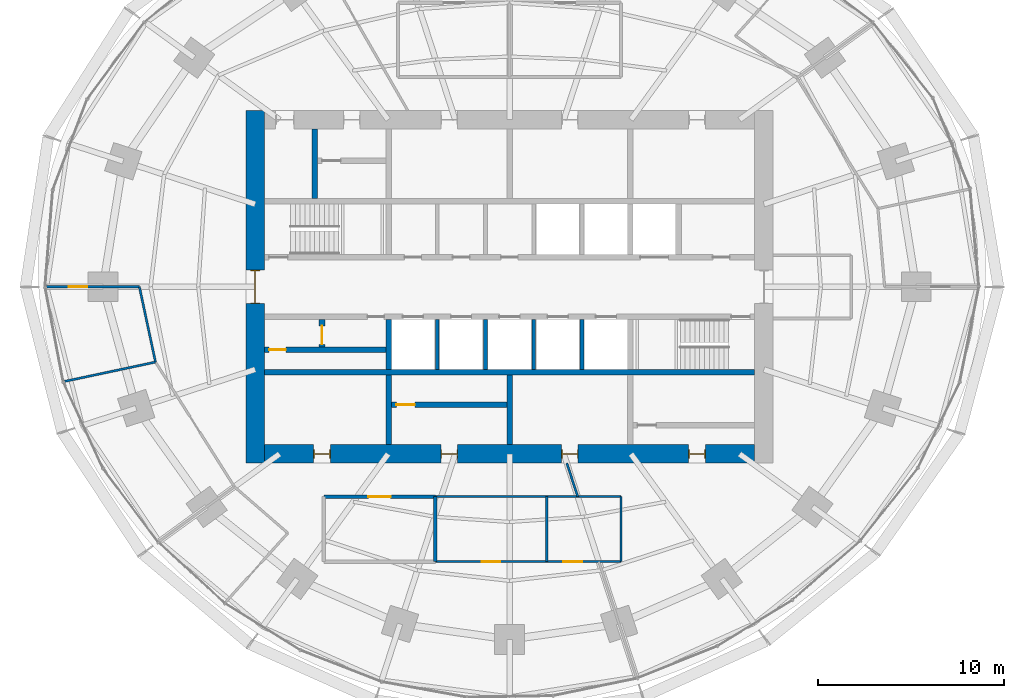
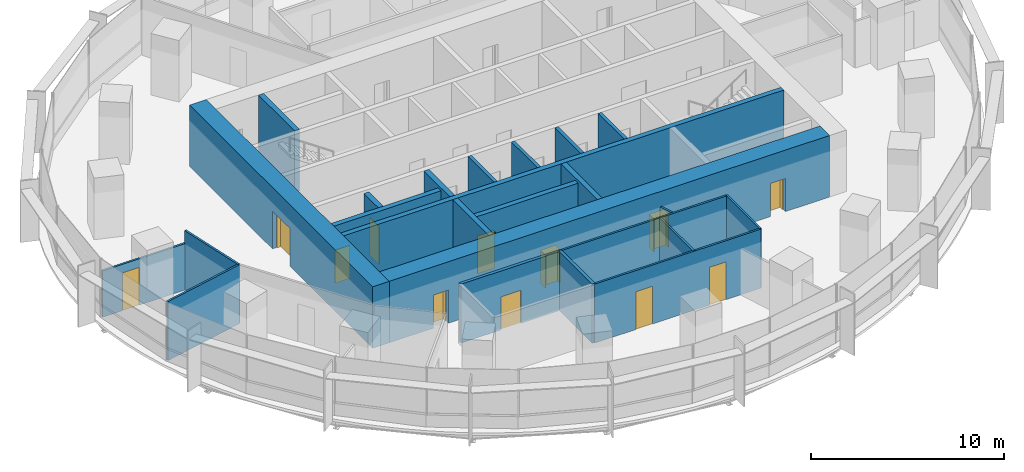
# One storey, part 10 of 14: 24 walls, 12 doors, 12 openings.
"""IFC4 building model written with IfcOpenShell, lengths in metres."""

from ifc_helpers import new_model, si_unit, direction, frame, frame_2d, origin, place, context, subcontext, project, spatial, rectangle, extrude, material, layer, layer_set, type_object, element, fill, save


model = new_model("IFC4")

# Units and contexts
model_context = context("Model", 3, precision=1e-05, world=origin(), true_north=direction((0.0, 1.0)))
body_context = subcontext(model_context, "Body", "Model", "MODEL_VIEW")
ifc_project = project(units=[si_unit("LENGTHUNIT", "METRE"), si_unit("AREAUNIT", "SQUARE_METRE"), si_unit("VOLUMEUNIT", "CUBIC_METRE"), si_unit("PLANEANGLEUNIT", "RADIAN"), si_unit("MASSUNIT", "GRAM", prefix="KILO")], contexts=[model_context])

# Site, building, storey
site_placement = place(None, origin())
site = spatial("IfcSite", under=ifc_project, at=site_placement, CompositionType="ELEMENT")
building_placement = place(site_placement, origin())
building = spatial("IfcBuilding", under=site, at=building_placement, Name="Marramba Exchange Tower", CompositionType="ELEMENT")
storey_placement = place(building_placement, frame((0.0, 0.0, 104.10009765625)))
storey = spatial("IfcBuildingStorey", under=building, at=storey_placement, Name="L24", CompositionType="ELEMENT", Elevation=104.10009765625)

# Walls
ifc_material_1 = material(Name="Concrete N50", Category="concrete")
ifc_layer_1 = layer(ifc_material_1, 0.199951171875)
ifc_layer_set_1 = layer_set([ifc_layer_1], Name="Core shaft wall 200")
wall_type_1 = type_object("IfcWallType", Name="Core shaft wall 200", PredefinedType="SHEAR", material=ifc_layer_set_1)
for number, where, z_axis, x_axis, name in (
    (1, (-3.89990234375, -1.75, 0.0), (0.0, 0.0, 1.0), (0.0, -1.0, 0.0), "Core wall SHS1 L24"),
    (2, (-1.300048828125, -1.75, 0.0), (0.0, 0.0, 1.0), (0.0, -1.0, 0.0), "Core wall SHS2 L24"),
    (3, (1.300048828125, -1.75, 0.0), (0.0, 0.0, 1.0), (0.0, -1.0, 0.0), "Core wall SHS3 L24"),
    (4, (3.89990234375, -1.75, 0.0), (0.0, 0.0, 1.0), (0.0, -1.0, 0.0), "Core wall SHS4 L24"),
):
    element("IfcWall", number, at=place(storey_placement, frame(where, z_axis=z_axis, x_axis=x_axis)), inside=storey, type_object=wall_type_1, Name=name, PredefinedType="SHEAR", context=body_context, shape_type="SweptSolid", body=[
        extrude(rectangle(XDim=2.699951171875, YDim=0.199951171875, at=frame_2d((1.35009765625, 0.0))), origin(), (0.0, 0.0, 1.0), 3.89990234375),
    ])

# Wall, openings, doors
ifc_layer_2 = layer(ifc_material_1, 1.0)
ifc_layer_set_2 = layer_set([ifc_layer_2], Name="Core wall 1000")
wall_type_2 = type_object("IfcWallType", Name="Core wall 1000", PredefinedType="SHEAR", material=ifc_layer_set_2)
wall_1_placement = place(storey_placement, frame((-13.199951171875, -9.0, 0.0), z_axis=(0.0, 0.0, 1.0), x_axis=(1.0, 0.0, 0.0)))
wall_1 = element("IfcWall", 5, at=wall_1_placement, inside=storey, type_object=wall_type_2, Name="Core wall S L24", PredefinedType="SHEAR", context=body_context, shape_type="SweptSolid", body=[
    extrude(rectangle(XDim=26.39990234375, YDim=1.0, at=frame_2d((13.199951171875, 0.0))), origin(), (0.0, 0.0, 1.0), 3.89990234375),
])
opening_1_placement = place(wall_1_placement, frame((2.64990234375, 0.0, 0.0)))
opening_1 = element("IfcOpeningElement", 6, at=opening_1_placement, cuts=wall_1, Name="Opening D5", PredefinedType="OPENING", context=body_context, shape_type="SweptSolid", body=[
    extrude(rectangle(XDim=0.89990234375, YDim=2.10009765625, at=frame_2d((0.449951171875, 1.050048828125))), frame((0.0, 0.510009765625, 0.0), z_axis=(0.0, -1.0, 0.0), x_axis=(1.0, 0.0, 0.0)), (0.0, 0.0, 1.0), 1.02001953125),
])
opening_2_placement = place(wall_1_placement, frame((9.5, 0.0, 0.0)))
opening_2 = element("IfcOpeningElement", 7, at=opening_2_placement, cuts=wall_1, Name="Opening D5", PredefinedType="OPENING", context=body_context, shape_type="SweptSolid", body=[
    extrude(rectangle(XDim=0.89990234375, YDim=2.10009765625, at=frame_2d((0.449951171875, 1.050048828125))), frame((0.0, 0.510009765625, 0.0), z_axis=(0.0, -1.0, 0.0), x_axis=(1.0, 0.0, 0.0)), (0.0, 0.0, 1.0), 1.02001953125),
])
opening_3_placement = place(wall_1_placement, frame((16.0, 0.0, 0.0)))
opening_3 = element("IfcOpeningElement", 8, at=opening_3_placement, cuts=wall_1, Name="Opening D5", PredefinedType="OPENING", context=body_context, shape_type="SweptSolid", body=[
    extrude(rectangle(XDim=0.89990234375, YDim=2.10009765625, at=frame_2d((0.449951171875, 1.050048828125))), frame((0.0, 0.510009765625, 0.0), z_axis=(0.0, -1.0, 0.0), x_axis=(1.0, 0.0, 0.0)), (0.0, 0.0, 1.0), 1.02001953125),
])
opening_4_placement = place(wall_1_placement, frame((22.85009765625, 0.0, 0.0)))
opening_4 = element("IfcOpeningElement", 9, at=opening_4_placement, cuts=wall_1, Name="Opening D5", PredefinedType="OPENING", context=body_context, shape_type="SweptSolid", body=[
    extrude(rectangle(XDim=0.89990234375, YDim=2.10009765625, at=frame_2d((0.449951171875, 1.050048828125))), frame((0.0, 0.510009765625, 0.0), z_axis=(0.0, -1.0, 0.0), x_axis=(1.0, 0.0, 0.0)), (0.0, 0.0, 1.0), 1.02001953125),
])
ifc_material_2 = material(Name="Steel-framed door", Category="steel")
door_type_1 = type_object("IfcDoorType", Name="Service door 900x2100", OperationType="SINGLE_SWING_LEFT", PredefinedType="DOOR", material=ifc_material_2)
door_1_placement = place(opening_1_placement, origin())
door_1 = element("IfcDoor", 10, at=door_1_placement, inside=storey, type_object=door_type_1, Name="D5 ahu L24", OperationType="SINGLE_SWING_LEFT", OverallHeight=2.10009765625, OverallWidth=0.89990234375, PredefinedType="DOOR", context=body_context, shape_type="SweptSolid", body=[
    extrude(rectangle(XDim=0.81982421875, YDim=2.06005859375, at=frame_2d((0.449951171875, 1.030029296875))), frame((0.0, 0.02490234375, 0.0), z_axis=(0.0, -1.0, 0.0), x_axis=(1.0, 0.0, 0.0)), (0.0, 0.0, 1.0), 0.050048828125),
    extrude(rectangle(XDim=0.04, YDim=2.10009765625, at=frame_2d((0.02001953125, 1.050048828125))), frame((0.0, 0.25, 0.0), z_axis=(0.0, -1.0, 0.0), x_axis=(1.0, 0.0, 0.0)), (0.0, 0.0, 1.0), 0.5),
    extrude(rectangle(XDim=0.04, YDim=2.10009765625, at=frame_2d((0.8798828125, 1.050048828125))), frame((0.0, 0.25, 0.0), z_axis=(0.0, -1.0, 0.0), x_axis=(1.0, 0.0, 0.0)), (0.0, 0.0, 1.0), 0.5),
    extrude(rectangle(XDim=0.81982421875, YDim=0.04, at=frame_2d((0.449951171875, 2.080078125))), frame((0.0, 0.25, 0.0), z_axis=(0.0, -1.0, 0.0), x_axis=(1.0, 0.0, 0.0)), (0.0, 0.0, 1.0), 0.5),
])
fill(opening_1, door_1)
door_2_placement = place(opening_2_placement, origin())
door_2 = element("IfcDoor", 11, at=door_2_placement, inside=storey, type_object=door_type_1, Name="D5 store L24", OperationType="SINGLE_SWING_RIGHT", OverallHeight=2.10009765625, OverallWidth=0.89990234375, PredefinedType="DOOR", context=body_context, shape_type="SweptSolid", body=[
    extrude(rectangle(XDim=0.81982421875, YDim=2.06005859375, at=frame_2d((0.449951171875, 1.030029296875))), frame((0.0, 0.02490234375, 0.0), z_axis=(0.0, -1.0, 0.0), x_axis=(1.0, 0.0, 0.0)), (0.0, 0.0, 1.0), 0.050048828125),
    extrude(rectangle(XDim=0.04, YDim=2.10009765625, at=frame_2d((0.02001953125, 1.050048828125))), frame((0.0, 0.25, 0.0), z_axis=(0.0, -1.0, 0.0), x_axis=(1.0, 0.0, 0.0)), (0.0, 0.0, 1.0), 0.5),
    extrude(rectangle(XDim=0.04, YDim=2.10009765625, at=frame_2d((0.8798828125, 1.050048828125))), frame((0.0, 0.25, 0.0), z_axis=(0.0, -1.0, 0.0), x_axis=(1.0, 0.0, 0.0)), (0.0, 0.0, 1.0), 0.5),
    extrude(rectangle(XDim=0.81982421875, YDim=0.04, at=frame_2d((0.449951171875, 2.080078125))), frame((0.0, 0.25, 0.0), z_axis=(0.0, -1.0, 0.0), x_axis=(1.0, 0.0, 0.0)), (0.0, 0.0, 1.0), 0.5),
])
fill(opening_2, door_2)
door_3_placement = place(opening_3_placement, origin())
door_3 = element("IfcDoor", 12, at=door_3_placement, inside=storey, type_object=door_type_1, Name="D5 switch L24", OperationType="SINGLE_SWING_RIGHT", OverallHeight=2.10009765625, OverallWidth=0.89990234375, PredefinedType="DOOR", context=body_context, shape_type="SweptSolid", body=[
    extrude(rectangle(XDim=0.81982421875, YDim=2.06005859375, at=frame_2d((0.449951171875, 1.030029296875))), frame((0.0, 0.02490234375, 0.0), z_axis=(0.0, -1.0, 0.0), x_axis=(1.0, 0.0, 0.0)), (0.0, 0.0, 1.0), 0.050048828125),
    extrude(rectangle(XDim=0.04, YDim=2.10009765625, at=frame_2d((0.02001953125, 1.050048828125))), frame((0.0, 0.25, 0.0), z_axis=(0.0, -1.0, 0.0), x_axis=(1.0, 0.0, 0.0)), (0.0, 0.0, 1.0), 0.5),
    extrude(rectangle(XDim=0.04, YDim=2.10009765625, at=frame_2d((0.8798828125, 1.050048828125))), frame((0.0, 0.25, 0.0), z_axis=(0.0, -1.0, 0.0), x_axis=(1.0, 0.0, 0.0)), (0.0, 0.0, 1.0), 0.5),
    extrude(rectangle(XDim=0.81982421875, YDim=0.04, at=frame_2d((0.449951171875, 2.080078125))), frame((0.0, 0.25, 0.0), z_axis=(0.0, -1.0, 0.0), x_axis=(1.0, 0.0, 0.0)), (0.0, 0.0, 1.0), 0.5),
])
fill(opening_3, door_3)
door_4_placement = place(opening_4_placement, origin())
door_4 = element("IfcDoor", 13, at=door_4_placement, inside=storey, type_object=door_type_1, Name="D5 cstore L24", OperationType="SINGLE_SWING_RIGHT", OverallHeight=2.10009765625, OverallWidth=0.89990234375, PredefinedType="DOOR", context=body_context, shape_type="SweptSolid", body=[
    extrude(rectangle(XDim=0.81982421875, YDim=2.06005859375, at=frame_2d((0.449951171875, 1.030029296875))), frame((0.0, 0.02490234375, 0.0), z_axis=(0.0, -1.0, 0.0), x_axis=(1.0, 0.0, 0.0)), (0.0, 0.0, 1.0), 0.050048828125),
    extrude(rectangle(XDim=0.04, YDim=2.10009765625, at=frame_2d((0.02001953125, 1.050048828125))), frame((0.0, 0.25, 0.0), z_axis=(0.0, -1.0, 0.0), x_axis=(1.0, 0.0, 0.0)), (0.0, 0.0, 1.0), 0.5),
    extrude(rectangle(XDim=0.04, YDim=2.10009765625, at=frame_2d((0.8798828125, 1.050048828125))), frame((0.0, 0.25, 0.0), z_axis=(0.0, -1.0, 0.0), x_axis=(1.0, 0.0, 0.0)), (0.0, 0.0, 1.0), 0.5),
    extrude(rectangle(XDim=0.81982421875, YDim=0.04, at=frame_2d((0.449951171875, 2.080078125))), frame((0.0, 0.25, 0.0), z_axis=(0.0, -1.0, 0.0), x_axis=(1.0, 0.0, 0.0)), (0.0, 0.0, 1.0), 0.5),
])
fill(opening_4, door_4)

# Wall, opening, door
wall_2_placement = place(storey_placement, frame((-13.699951171875, 9.5, 0.0), z_axis=(0.0, 0.0, 1.0), x_axis=(0.0, -1.0, 0.0)))
wall_2 = element("IfcWall", 14, at=wall_2_placement, inside=storey, type_object=wall_type_2, Name="Core wall W L24", PredefinedType="SHEAR", context=body_context, shape_type="SweptSolid", body=[
    extrude(rectangle(XDim=19.0, YDim=1.0, at=frame_2d((9.5, 0.0))), origin(), (0.0, 0.0, 1.0), 3.89990234375),
])
opening_5_placement = place(wall_2_placement, frame((8.60009765625, 0.0, 0.0)))
opening_5 = element("IfcOpeningElement", 15, at=opening_5_placement, cuts=wall_2, Name="Opening D1", PredefinedType="OPENING", context=body_context, shape_type="SweptSolid", body=[
    extrude(rectangle(XDim=1.800048828125, YDim=2.39990234375, at=frame_2d((0.89990234375, 1.199951171875))), frame((0.0, 0.510009765625, 0.0), z_axis=(0.0, -1.0, 0.0), x_axis=(1.0, 0.0, 0.0)), (0.0, 0.0, 1.0), 1.02001953125),
])
door_type_2 = type_object("IfcDoorType", Name="Lobby exit door 1800x2400", OperationType="DOUBLE_DOOR_SINGLE_SWING", PredefinedType="DOOR", material=ifc_material_2)
door_5_placement = place(opening_5_placement, origin())
door_5 = element("IfcDoor", 16, at=door_5_placement, inside=storey, type_object=door_type_2, Name="D1 lobby exit west L24", OperationType="DOUBLE_DOOR_SINGLE_SWING", OverallHeight=2.39990234375, OverallWidth=1.800048828125, PredefinedType="DOOR", context=body_context, shape_type="SweptSolid", body=[
    extrude(rectangle(XDim=1.719970703125, YDim=2.35986328125, at=frame_2d((0.89990234375, 1.179931640625))), frame((0.0, 0.02490234375, 0.0), z_axis=(0.0, -1.0, 0.0), x_axis=(1.0, 0.0, 0.0)), (0.0, 0.0, 1.0), 0.050048828125),
    extrude(rectangle(XDim=0.04, YDim=2.39990234375, at=frame_2d((0.02001953125, 1.199951171875))), frame((0.0, 0.25, 0.0), z_axis=(0.0, -1.0, 0.0), x_axis=(1.0, 0.0, 0.0)), (0.0, 0.0, 1.0), 0.5),
    extrude(rectangle(XDim=0.04, YDim=2.39990234375, at=frame_2d((1.780029296875, 1.199951171875))), frame((0.0, 0.25, 0.0), z_axis=(0.0, -1.0, 0.0), x_axis=(1.0, 0.0, 0.0)), (0.0, 0.0, 1.0), 0.5),
    extrude(rectangle(XDim=1.719970703125, YDim=0.04, at=frame_2d((0.89990234375, 2.3798828125))), frame((0.0, 0.25, 0.0), z_axis=(0.0, -1.0, 0.0), x_axis=(1.0, 0.0, 0.0)), (0.0, 0.0, 1.0), 0.5),
])
fill(opening_5, door_5)

# Walls
ifc_layer_3 = layer(ifc_material_1, 0.300048828125)
ifc_layer_set_3 = layer_set([ifc_layer_3], Name="Core wall 300")
wall_type_3 = type_object("IfcWallType", Name="Core wall 300", PredefinedType="SHEAR", material=ifc_layer_set_3)
wall_3_placement = place(storey_placement, frame((-13.199951171875, -4.60009765625, 0.0), z_axis=(0.0, 0.0, 1.0), x_axis=(1.0, 0.0, 0.0)))
element("IfcWall", 17, at=wall_3_placement, inside=storey, type_object=wall_type_3, Name="Core wall BS L24", PredefinedType="SHEAR", context=body_context, shape_type="SweptSolid", body=[
    extrude(rectangle(XDim=26.39990234375, YDim=0.300048828125, at=frame_2d((13.199951171875, 0.0))), origin(), (0.0, 0.0, 1.0), 3.89990234375),
])
wall_4_placement = place(storey_placement, frame((-6.5, -1.75, 0.0), z_axis=(0.0, 0.0, 1.0), x_axis=(0.0, -1.0, 0.0)))
element("IfcWall", 18, at=wall_4_placement, inside=storey, type_object=wall_type_3, Name="Core wall X0Sa L24", PredefinedType="SHEAR", context=body_context, shape_type="SweptSolid", body=[
    extrude(rectangle(XDim=2.699951171875, YDim=0.300048828125, at=frame_2d((1.35009765625, 0.0))), origin(), (0.0, 0.0, 1.0), 3.89990234375),
])
for number, where, z_axis, x_axis, name in (
    (19, (-6.5, -4.75, 0.0), (0.0, 0.0, 1.0), (0.0, -1.0, 0.0), "Core wall X0Sb L24"),
    (20, (0.0, -4.75, 0.0), (0.0, 0.0, 1.0), (0.0, -1.0, 0.0), "Core wall MS L24"),
    (21, (-10.5, 4.75, 0.0), (0.0, 0.0, 1.0), (0.0, 1.0, 0.0), "Core wall WD L24"),
):
    element("IfcWall", number, at=place(storey_placement, frame(where, z_axis=z_axis, x_axis=x_axis)), inside=storey, type_object=wall_type_3, Name=name, PredefinedType="SHEAR", context=body_context, shape_type="SweptSolid", body=[
        extrude(rectangle(XDim=3.75, YDim=0.300048828125, at=frame_2d((1.875, 0.0))), origin(), (0.0, 0.0, 1.0), 3.89990234375),
    ])

# Wall, opening, door
ifc_material_3 = material(Name="Core-filled concrete blockwork, rendered", Category="masonry")
ifc_layer_4 = layer(ifc_material_3, 0.18994140625)
ifc_layer_set_4 = layer_set([ifc_layer_4], Name="Equipment room wall 190")
wall_type_4 = type_object("IfcWallType", Name="Equipment room wall 190", PredefinedType="SOLIDWALL", material=ifc_layer_set_4)
wall_5_placement = place(storey_placement, frame((-4.0, -11.300048828125, 0.0), z_axis=(0.0, 0.0, 1.0), x_axis=(-1.0, 0.0, 0.0)))
wall_5 = element("IfcWall", 22, at=wall_5_placement, inside=storey, type_object=wall_type_4, Name="Equipment room wall L24 08", PredefinedType="SOLIDWALL", context=body_context, shape_type="SweptSolid", body=[
    extrude(rectangle(XDim=6.0, YDim=0.18994140625, at=frame_2d((3.0, 0.0))), origin(), (0.0, 0.0, 1.0), 3.739990234375),
])
opening_6_placement = place(wall_5_placement, frame((2.39990234375, 0.0, 0.0)))
opening_6 = element("IfcOpeningElement", 23, at=opening_6_placement, cuts=wall_5, Name="Opening D16", PredefinedType="OPENING", context=body_context, shape_type="SweptSolid", body=[
    extrude(rectangle(XDim=1.199951171875, YDim=2.10009765625, at=frame_2d((0.60009765625, 1.050048828125))), frame((0.0, 0.10498046875, 0.0), z_axis=(0.0, -1.0, 0.0), x_axis=(1.0, 0.0, 0.0)), (0.0, 0.0, 1.0), 0.2099609375),
])
door_type_3 = type_object("IfcDoorType", Name="Equipment room door 1200x2100", OperationType="SINGLE_SWING_LEFT", PredefinedType="DOOR", material=ifc_material_2)
door_6_placement = place(opening_6_placement, origin())
door_6 = element("IfcDoor", 24, at=door_6_placement, inside=storey, type_object=door_type_3, Name="D16 Records Store L24", OperationType="SINGLE_SWING_RIGHT", OverallHeight=2.10009765625, OverallWidth=1.199951171875, PredefinedType="DOOR", context=body_context, shape_type="SweptSolid", body=[
    extrude(rectangle(XDim=1.199951171875, YDim=2.10009765625, at=frame_2d((0.60009765625, 1.050048828125))), frame((0.0, 0.02490234375, 0.0), z_axis=(0.0, -1.0, 0.0), x_axis=(1.0, 0.0, 0.0)), (0.0, 0.0, 1.0), 0.050048828125),
])
fill(opening_6, door_6)

# Walls
wall_6_placement = place(storey_placement, frame((-4.0, -11.300048828125, 0.0), z_axis=(0.0, 0.0, 1.0), x_axis=(0.0, -1.0, 0.0)))
element("IfcWall", 25, at=wall_6_placement, inside=storey, type_object=wall_type_4, Name="Equipment room wall L24 10", PredefinedType="SOLIDWALL", context=body_context, shape_type="SweptSolid", body=[
    extrude(rectangle(XDim=3.5, YDim=0.18994140625, at=frame_2d((1.75, 0.0))), origin(), (0.0, 0.0, 1.0), 3.739990234375),
])
ifc_material_4 = material(Name="Plasterboard on steel studs", Category="steel")
ifc_layer_5 = layer(ifc_material_4, 0.1201171875)
ifc_layer_set_5 = layer_set([ifc_layer_5], Name="Partition 120")
wall_type_5 = type_object("IfcWallType", Name="Partition 120", PredefinedType="PARTITIONING", material=ifc_layer_set_5)
wall_7_placement = place(storey_placement, frame((-19.069580078125, -4.053466796875, 0.0), z_axis=(0.0, 0.0, 1.0), x_axis=(-0.209484846429, 0.977811893524, 0.0)))
element("IfcWall", 26, at=wall_7_placement, inside=storey, type_object=wall_type_5, Name="Partition L24 01", PredefinedType="PARTITIONING", context=body_context, shape_type="SweptSolid", body=[
    extrude(rectangle(XDim=4.1455078125, YDim=0.1201171875, at=frame_2d((2.07275390625, 0.0))), origin(), (0.0, 0.0, 1.0), 3.739990234375),
])
wall_8_placement = place(storey_placement, frame((-19.069580078125, -4.053466796875, 0.0), z_axis=(0.0, 0.0, 1.0), x_axis=(-0.978149046495, -0.207904888932, 0.0)))
element("IfcWall", 27, at=wall_8_placement, inside=storey, type_object=wall_type_5, Name="Partition L24 02", PredefinedType="PARTITIONING", context=body_context, shape_type="SweptSolid", body=[
    extrude(rectangle(XDim=5.000244140625, YDim=0.1201171875, at=frame_2d((2.5, 0.0))), origin(), (0.0, 0.0, 1.0), 3.739990234375),
])

# Wall, openings, doors
wall_9_placement = place(storey_placement, frame((-4.0, -14.800048828125, 0.0), z_axis=(0.0, 0.0, 1.0), x_axis=(1.0, 0.0, 0.0)))
wall_9 = element("IfcWall", 28, at=wall_9_placement, inside=storey, type_object=wall_type_5, Name="Partition L24 11", PredefinedType="PARTITIONING", context=body_context, shape_type="SweptSolid", body=[
    extrude(rectangle(XDim=10.0, YDim=0.1201171875, at=frame_2d((5.0, 0.0))), origin(), (0.0, 0.0, 1.0), 3.739990234375),
])
opening_7_placement = place(wall_9_placement, frame((2.5, 0.0, 0.0)))
opening_7 = element("IfcOpeningElement", 29, at=opening_7_placement, cuts=wall_9, Name="Opening D9", PredefinedType="OPENING", context=body_context, shape_type="SweptSolid", body=[
    extrude(rectangle(XDim=1.0, YDim=2.39990234375, at=frame_2d((0.5, 1.199951171875))), frame((0.0, 0.070068359375, 0.0), z_axis=(0.0, -1.0, 0.0), x_axis=(1.0, 0.0, 0.0)), (0.0, 0.0, 1.0), 0.14013671875),
])
opening_8_placement = place(wall_9_placement, frame((6.904052734375, 0.0, 0.0)))
opening_8 = element("IfcOpeningElement", 30, at=opening_8_placement, cuts=wall_9, Name="Opening D9", PredefinedType="OPENING", context=body_context, shape_type="SweptSolid", body=[
    extrude(rectangle(XDim=1.0, YDim=2.39990234375, at=frame_2d((0.5, 1.199951171875))), frame((0.0, 0.070068359375, 0.0), z_axis=(0.0, -1.0, 0.0), x_axis=(1.0, 0.0, 0.0)), (0.0, 0.0, 1.0), 0.14013671875),
])
ifc_material_5 = material(Name="Timber door", Category="wood")
door_type_4 = type_object("IfcDoorType", Name="Room door 1000x2400", OperationType="SINGLE_SWING_LEFT", PredefinedType="DOOR", material=ifc_material_5)
door_7_placement = place(opening_7_placement, origin())
door_7 = element("IfcDoor", 31, at=door_7_placement, inside=storey, type_object=door_type_4, Name="D9 Pantry L24", OperationType="SINGLE_SWING_RIGHT", OverallHeight=2.39990234375, OverallWidth=1.0, PredefinedType="DOOR", context=body_context, shape_type="SweptSolid", body=[
    extrude(rectangle(XDim=1.0, YDim=2.39990234375, at=frame_2d((0.5, 1.199951171875))), frame((0.0, 0.02490234375, 0.0), z_axis=(0.0, -1.0, 0.0), x_axis=(1.0, 0.0, 0.0)), (0.0, 0.0, 1.0), 0.050048828125),
])
fill(opening_7, door_7)
door_8_placement = place(opening_8_placement, origin())
door_8 = element("IfcDoor", 32, at=door_8_placement, inside=storey, type_object=door_type_4, Name="D9 Print Room L24", OperationType="SINGLE_SWING_LEFT", OverallHeight=2.39990234375, OverallWidth=1.0, PredefinedType="DOOR", context=body_context, shape_type="SweptSolid", body=[
    extrude(rectangle(XDim=1.0, YDim=2.39990234375, at=frame_2d((0.5, 1.199951171875))), frame((0.0, 0.02490234375, 0.0), z_axis=(0.0, -1.0, 0.0), x_axis=(1.0, 0.0, 0.0)), (0.0, 0.0, 1.0), 0.050048828125),
])
fill(opening_8, door_8)

# Walls
wall_10_placement = place(storey_placement, frame((6.0, -11.300048828125, 0.0), z_axis=(0.0, 0.0, 1.0), x_axis=(-1.0, 0.0, 0.0)))
element("IfcWall", 33, at=wall_10_placement, inside=storey, type_object=wall_type_5, Name="Partition L24 12", PredefinedType="PARTITIONING", context=body_context, shape_type="SweptSolid", body=[
    extrude(rectangle(XDim=10.0, YDim=0.1201171875, at=frame_2d((5.0, 0.0))), origin(), (0.0, 0.0, 1.0), 3.739990234375),
])
wall_11_placement = place(storey_placement, frame((2.0, -11.300048828125, 0.0), z_axis=(0.0, 0.0, 1.0), x_axis=(0.0, -1.0, 0.0)))
element("IfcWall", 34, at=wall_11_placement, inside=storey, type_object=wall_type_5, Name="Partition L24 13", PredefinedType="PARTITIONING", context=body_context, shape_type="SweptSolid", body=[
    extrude(rectangle(XDim=3.5, YDim=0.1201171875, at=frame_2d((1.75, 0.0))), origin(), (0.0, 0.0, 1.0), 3.739990234375),
])
wall_12_placement = place(storey_placement, frame((3.671630859375, -11.300048828125, 0.0), z_axis=(0.0, 0.0, 1.0), x_axis=(-0.309059822154, 0.95104259964, 0.0)))
element("IfcWall", 35, at=wall_12_placement, inside=storey, type_object=wall_type_5, Name="Partition L24 14", PredefinedType="PARTITIONING", context=body_context, shape_type="SweptSolid", body=[
    extrude(rectangle(XDim=1.892822265625, YDim=0.1201171875, at=frame_2d((0.9462890625, 0.0))), origin(), (0.0, 0.0, 1.0), 2.93994140625),
])
wall_13_placement = place(storey_placement, frame((6.0, -14.800048828125, 0.0), z_axis=(0.0, 0.0, 1.0), x_axis=(0.0, 1.0, 0.0)))
element("IfcWall", 36, at=wall_13_placement, inside=storey, type_object=wall_type_5, Name="Partition L24 16", PredefinedType="PARTITIONING", context=body_context, shape_type="SweptSolid", body=[
    extrude(rectangle(XDim=3.5, YDim=0.1201171875, at=frame_2d((1.75, 0.0))), origin(), (0.0, 0.0, 1.0), 3.739990234375),
])

# Wall, opening, door
wall_14_placement = place(storey_placement, frame((-19.93798828125, 0.0, 0.0), z_axis=(0.0, 0.0, 1.0), x_axis=(-1.0, 0.0, 0.0)))
wall_14 = element("IfcWall", 37, at=wall_14_placement, inside=storey, type_object=wall_type_5, Name="Partition L24 33", PredefinedType="PARTITIONING", context=body_context, shape_type="SweptSolid", body=[
    extrude(rectangle(XDim=5.0, YDim=0.1201171875, at=frame_2d((2.5, 0.0))), origin(), (0.0, 0.0, 1.0), 2.93994140625),
])
opening_9_placement = place(wall_14_placement, frame((2.800048828125, 0.0, 0.0)))
opening_9 = element("IfcOpeningElement", 38, at=opening_9_placement, cuts=wall_14, Name="Opening D9", PredefinedType="OPENING", context=body_context, shape_type="SweptSolid", body=[
    extrude(rectangle(XDim=1.0, YDim=2.39990234375, at=frame_2d((0.5, 1.199951171875))), frame((0.0, 0.070068359375, 0.0), z_axis=(0.0, -1.0, 0.0), x_axis=(1.0, 0.0, 0.0)), (0.0, 0.0, 1.0), 0.14013671875),
])
door_9_placement = place(opening_9_placement, origin())
door_9 = element("IfcDoor", 39, at=door_9_placement, inside=storey, type_object=door_type_4, Name="D9 Compliance Office 4 L24", OperationType="SINGLE_SWING_RIGHT", OverallHeight=2.39990234375, OverallWidth=1.0, PredefinedType="DOOR", context=body_context, shape_type="SweptSolid", body=[
    extrude(rectangle(XDim=1.0, YDim=2.39990234375, at=frame_2d((0.5, 1.199951171875))), frame((0.0, 0.02490234375, 0.0), z_axis=(0.0, -1.0, 0.0), x_axis=(1.0, 0.0, 0.0)), (0.0, 0.0, 1.0), 0.050048828125),
])
fill(opening_9, door_9)

ifc_material_6 = material(Name="Core-filled concrete blockwork", Category="masonry")
ifc_layer_6 = layer(ifc_material_6, 0.300048828125)
ifc_layer_set_6 = layer_set([ifc_layer_6], Name="Riser enclosure wall 300")
wall_type_6 = type_object("IfcWallType", Name="Riser enclosure wall 300", PredefinedType="SOLIDWALL", material=ifc_layer_set_6)
wall_15_placement = place(storey_placement, frame((-13.199951171875, -3.39990234375, 0.0), z_axis=(0.0, 0.0, 1.0), x_axis=(1.0, 0.0, 0.0)))
wall_15 = element("IfcWall", 40, at=wall_15_placement, inside=storey, type_object=wall_type_6, Name="Riser enclosure wall L24", PredefinedType="SOLIDWALL", context=body_context, shape_type="SweptSolid", body=[
    extrude(rectangle(XDim=6.550048828125, YDim=0.300048828125, at=frame_2d((3.27490234375, 0.0))), origin(), (0.0, 0.0, 1.0), 3.739990234375),
])
opening_10_placement = place(wall_15_placement, frame((0.25, 0.0, 0.0)))
opening_10 = element("IfcOpeningElement", 41, at=opening_10_placement, cuts=wall_15, Name="Opening D5", PredefinedType="OPENING", context=body_context, shape_type="SweptSolid", body=[
    extrude(rectangle(XDim=0.89990234375, YDim=2.10009765625, at=frame_2d((0.449951171875, 1.050048828125))), frame((0.0, 0.159912109375, 0.0), z_axis=(0.0, -1.0, 0.0), x_axis=(1.0, 0.0, 0.0)), (0.0, 0.0, 1.0), 0.320068359375),
])
door_10_placement = place(opening_10_placement, origin())
door_10 = element("IfcDoor", 42, at=door_10_placement, inside=storey, type_object=door_type_1, Name="D5 electrical riser back L24", OperationType="SINGLE_SWING_LEFT", OverallHeight=2.10009765625, OverallWidth=0.89990234375, PredefinedType="DOOR", context=body_context, shape_type="SweptSolid", body=[
    extrude(rectangle(XDim=0.89990234375, YDim=2.10009765625, at=frame_2d((0.449951171875, 1.050048828125))), frame((0.0, 0.02490234375, 0.0), z_axis=(0.0, -1.0, 0.0), x_axis=(1.0, 0.0, 0.0)), (0.0, 0.0, 1.0), 0.050048828125),
])
fill(opening_10, door_10)

ifc_material_7 = material(Name="Plasterboard on steel studs, insulated, unrated", Category="steel")
ifc_layer_7 = layer(ifc_material_7, 0.300048828125)
ifc_layer_set_7 = layer_set([ifc_layer_7], Name="Store partition 300")
wall_type_7 = type_object("IfcWallType", Name="Store partition 300", PredefinedType="PARTITIONING", material=ifc_layer_set_7)
wall_16_placement = place(storey_placement, frame((-6.35009765625, -6.360107421875, 0.0), z_axis=(0.0, 0.0, 1.0), x_axis=(1.0, 0.0, 0.0)))
wall_16 = element("IfcWall", 43, at=wall_16_placement, inside=storey, type_object=wall_type_7, Name="Store partition L24 store", PredefinedType="PARTITIONING", context=body_context, shape_type="SweptSolid", body=[
    extrude(rectangle(XDim=6.2001953125, YDim=0.300048828125, at=frame_2d((3.10009765625, 0.0))), origin(), (0.0, 0.0, 1.0), 3.739990234375),
])
opening_11_placement = place(wall_16_placement, frame((0.25, 0.0, 0.0)))
opening_11 = element("IfcOpeningElement", 44, at=opening_11_placement, cuts=wall_16, Name="Opening D9", PredefinedType="OPENING", context=body_context, shape_type="SweptSolid", body=[
    extrude(rectangle(XDim=1.0, YDim=2.39990234375, at=frame_2d((0.5, 1.199951171875))), frame((0.0, 0.159912109375, 0.0), z_axis=(0.0, -1.0, 0.0), x_axis=(1.0, 0.0, 0.0)), (0.0, 0.0, 1.0), 0.320068359375),
])
door_11_placement = place(opening_11_placement, origin())
door_11 = element("IfcDoor", 45, at=door_11_placement, inside=storey, type_object=door_type_4, Name="D9 stationery store L24", OperationType="SINGLE_SWING_LEFT", OverallHeight=2.39990234375, OverallWidth=1.0, PredefinedType="DOOR", context=body_context, shape_type="SweptSolid", body=[
    extrude(rectangle(XDim=1.0, YDim=2.39990234375, at=frame_2d((0.5, 1.199951171875))), frame((0.0, 0.02490234375, 0.0), z_axis=(0.0, -1.0, 0.0), x_axis=(1.0, 0.0, 0.0)), (0.0, 0.0, 1.0), 0.050048828125),
])
fill(opening_11, door_11)

wall_17_placement = place(storey_placement, frame((-10.10009765625, -3.25, 0.0), z_axis=(0.0, 0.0, 1.0), x_axis=(0.0, 1.0, 0.0)))
wall_17 = element("IfcWall", 46, at=wall_17_placement, inside=storey, type_object=wall_type_7, Name="Store partition L24 tool store", PredefinedType="PARTITIONING", context=body_context, shape_type="SweptSolid", body=[
    extrude(rectangle(XDim=1.5, YDim=0.300048828125, at=frame_2d((0.75, 0.0))), origin(), (0.0, 0.0, 1.0), 3.739990234375),
])
opening_12_placement = place(wall_17_placement, frame((0.14990234375, 0.0, 0.0)))
opening_12 = element("IfcOpeningElement", 47, at=opening_12_placement, cuts=wall_17, Name="Opening D9", PredefinedType="OPENING", context=body_context, shape_type="SweptSolid", body=[
    extrude(rectangle(XDim=1.0, YDim=2.39990234375, at=frame_2d((0.5, 1.199951171875))), frame((0.0, 0.159912109375, 0.0), z_axis=(0.0, -1.0, 0.0), x_axis=(1.0, 0.0, 0.0)), (0.0, 0.0, 1.0), 0.320068359375),
])
door_12_placement = place(opening_12_placement, origin())
door_12 = element("IfcDoor", 48, at=door_12_placement, inside=storey, type_object=door_type_4, Name="D9 tool store L24", OperationType="SINGLE_SWING_LEFT", OverallHeight=2.39990234375, OverallWidth=1.0, PredefinedType="DOOR", context=body_context, shape_type="SweptSolid", body=[
    extrude(rectangle(XDim=1.0, YDim=2.39990234375, at=frame_2d((0.5, 1.199951171875))), frame((0.0, 0.02490234375, 0.0), z_axis=(0.0, -1.0, 0.0), x_axis=(1.0, 0.0, 0.0)), (0.0, 0.0, 1.0), 0.050048828125),
])
fill(opening_12, door_12)

save(model, "model.ifc")
